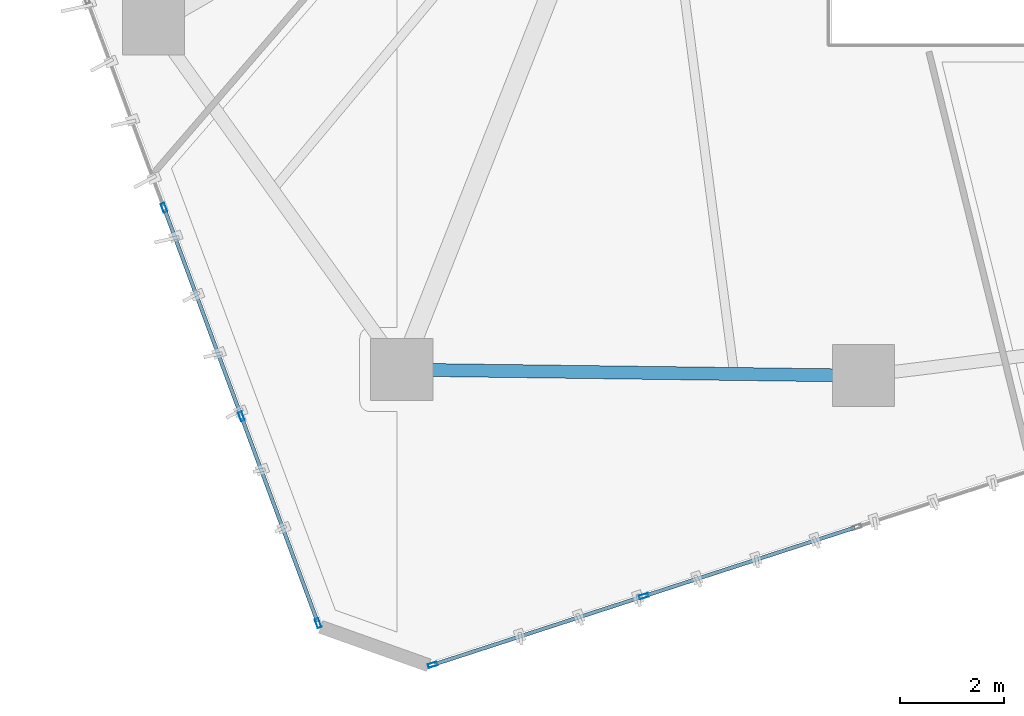
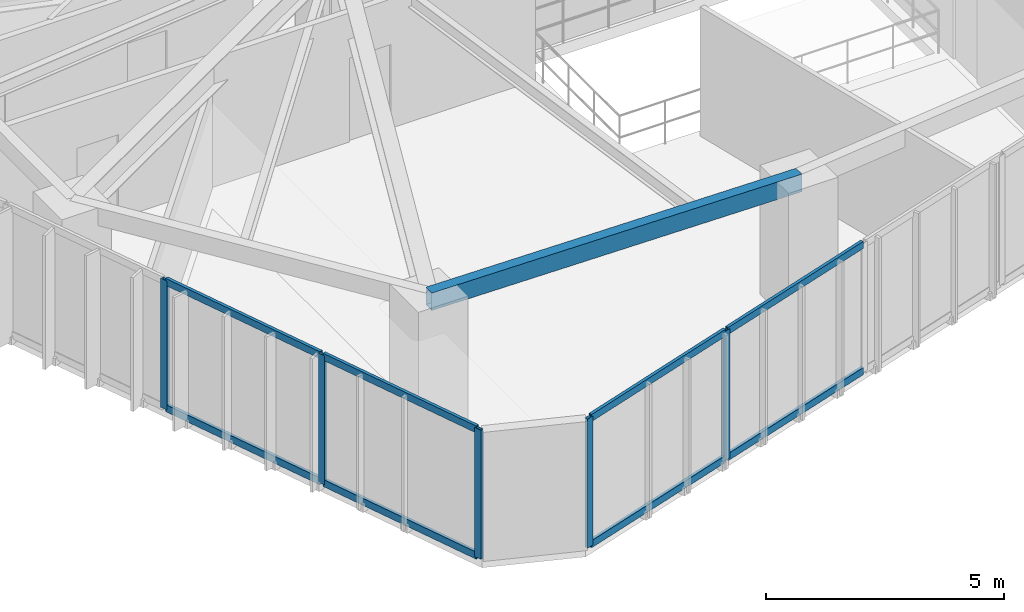
# One storey, part 2 of 21: 13 members, 1 beam, 2 elements without a shape of their own.
"""IFC4 building model written with IfcOpenShell, lengths in metres."""

from ifc_helpers import new_model, si_unit, direction, frame, origin, origin_2d, place, context, subcontext, project, spatial, hollow_rectangle, extrude, source, transform, mapped, material, layer, layer_set, material_profile, profile_set, type_object, type_shapes, element, aggregate, save


model = new_model("IFC4")

# Units and contexts
model_context = context("Model", 3, precision=1e-05, world=origin(), true_north=direction((0.0, 1.0)))
body_context = subcontext(model_context, "Body", "Model", "MODEL_VIEW")
ifc_project = project(units=[si_unit("LENGTHUNIT", "METRE"), si_unit("AREAUNIT", "SQUARE_METRE"), si_unit("VOLUMEUNIT", "CUBIC_METRE"), si_unit("PLANEANGLEUNIT", "RADIAN"), si_unit("MASSUNIT", "GRAM", prefix="KILO")], contexts=[model_context])

# Site, building, storey
site_placement = place(None, origin())
site = spatial("IfcSite", under=ifc_project, at=site_placement, CompositionType="ELEMENT")
building_placement = place(site_placement, origin())
building = spatial("IfcBuilding", under=site, at=building_placement, Name="Talar Marvaseh", CompositionType="ELEMENT")
storey_placement = place(building_placement, frame((0.0, 0.0, 143.39990234375)))
storey = spatial("IfcBuildingStorey", under=building, at=storey_placement, Name="L37", CompositionType="ELEMENT", Elevation=143.39990234375)

# Beam
ifc_material_1 = material(Name="Steel S355", Category="steel")
ifc_material_profile_1 = material_profile(ifc_material_1, hollow_rectangle(XDim=0.25, YDim=0.449951171875, WallThickness=0.01611328125, at=origin_2d()), Name="RHS450x250x16")
ifc_profile_set_1 = profile_set([ifc_material_profile_1], Name="Steel S355")
beam_type = type_object("IfcBeamType", Name="Zone 2 Perimeter Spandrel Beam RHS450x250x16", PredefinedType="SPANDREL", material=ifc_profile_set_1)
beam_placement = place(storey_placement, frame((22.804931640625, 13.18310546875, 3.085205078125), z_axis=(-0.999915383581, 0.013008677034, 0.0), x_axis=(-0.013008677034, -0.999915383581, 0.0)))
element("IfcBeam", 1, at=beam_placement, inside=storey, type_object=beam_type, Name="L37 Zone 2 Perimeter Spandrel Beam RHS450x250x16", PredefinedType="SPANDREL", context=body_context, shape_type="SweptSolid", body=[
    extrude(hollow_rectangle(XDim=0.25, YDim=0.449951171875, WallThickness=0.01611328125, at=origin_2d()), origin(), (0.0, 0.0, 1.0), 8.91455078125),
])

# Curtain wall, members
ifc_material_2 = material(Name="Architectural Aluminium", Category="aluminium")
ifc_layer = layer(ifc_material_2, 0.199951171875)
ifc_layer_set = layer_set([ifc_layer], Name="Architectural Aluminium")
curtain_wall_type = type_object("IfcCurtainWallType", Name="Unitised Acoustic Library Curtain Wall Z2", PredefinedType="NOTDEFINED", material=ifc_layer_set)
curtain_wall_1_placement = place(storey_placement, origin())
curtain_wall_1 = element("IfcCurtainWall", 2, at=curtain_wall_1_placement, inside=storey, type_object=curtain_wall_type, Name="L37 Unitised Acoustic Library Curtain Wall Z2", PredefinedType="NOTDEFINED")
ifc_material_profile_2 = material_profile(ifc_material_2, hollow_rectangle(XDim=0.074951171875, YDim=0.179931640625, WallThickness=0.0048828125, at=origin_2d()), Name="RHS180x75x5")
ifc_profile_set_2 = profile_set([ifc_material_profile_2], Name="Architectural Aluminium")
member_type_1 = type_object("IfcMemberType", Name="Unitised Curtain Wall Standard Mullion RHS180x75x5", PredefinedType="MULLION", material=ifc_profile_set_2)
shared_shape_1 = source(origin(), body_context, "Body", "SweptSolid", [
    extrude(hollow_rectangle(XDim=0.074951171875, YDim=0.179931640625, WallThickness=0.0048828125, at=origin_2d()), origin(), (0.0, 0.0, 1.0), 3.31005859375),
])
type_shapes(member_type_1, [shared_shape_1])
member_1_placement = place(storey_placement, frame((12.2763671875, 8.40185546875, 0.0), z_axis=(0.0, 0.0, 1.0), x_axis=(-0.93761038822, -0.347687733321, 0.0)))
member_1 = element("IfcMember", 3, at=member_1_placement, type_object=member_type_1, Name="CW-Z2 mullion 1", PredefinedType="MULLION", context=body_context, shape_type="MappedRepresentation", body=[
    mapped(shared_shape_1, transform((0.0, 0.0, 0.0), x_axis=(1.0, 0.0, 0.0), y_axis=(0.0, 1.0, 0.0), z_axis=(0.0, 0.0, 1.0), scale=1.0)),
])
member_2_placement = place(storey_placement, frame((10.795166015625, 12.396484375, 0.0), z_axis=(0.0, 0.0, 1.0), x_axis=(-0.93761038822, -0.347687733321, 0.0)))
member_2 = element("IfcMember", 4, at=member_2_placement, type_object=member_type_1, Name="CW-Z2 mullion 2", PredefinedType="MULLION", context=body_context, shape_type="MappedRepresentation", body=[
    mapped(shared_shape_1, transform((0.0, 0.0, 0.0), x_axis=(1.0, 0.0, 0.0), y_axis=(0.0, 1.0, 0.0), z_axis=(0.0, 0.0, 1.0), scale=1.0)),
])
member_3_placement = place(storey_placement, frame((9.30078125, 16.42626953125, 0.0), z_axis=(0.0, 0.0, 1.0), x_axis=(-0.93761038822, -0.347687733321, 0.0)))
member_3 = element("IfcMember", 5, at=member_3_placement, type_object=member_type_1, Name="CW-Z2 mullion 3", PredefinedType="MULLION", context=body_context, shape_type="MappedRepresentation", body=[
    mapped(shared_shape_1, transform((0.0, 0.0, 0.0), x_axis=(1.0, 0.0, 0.0), y_axis=(0.0, 1.0, 0.0), z_axis=(0.0, 0.0, 1.0), scale=1.0)),
])

curtain_wall_2_placement = place(storey_placement, origin())
curtain_wall_2 = element("IfcCurtainWall", 6, at=curtain_wall_2_placement, inside=storey, type_object=curtain_wall_type, Name="L37 Unitised Acoustic Library Curtain Wall Z2", PredefinedType="NOTDEFINED")
member_4_placement = place(storey_placement, frame((18.564453125, 8.924560546875, 0.0), z_axis=(0.0, 0.0, 1.0), x_axis=(0.309163682983, -0.95100884177, 0.0)))
member_4 = element("IfcMember", 7, at=member_4_placement, type_object=member_type_1, Name="CW-Z2 mullion 5", PredefinedType="MULLION", context=body_context, shape_type="MappedRepresentation", body=[
    mapped(shared_shape_1, transform((0.0, 0.0, 0.0), x_axis=(1.0, 0.0, 0.0), y_axis=(0.0, 1.0, 0.0), z_axis=(0.0, 0.0, 1.0), scale=1.0)),
])
member_5_placement = place(storey_placement, frame((14.488525390625, 7.599609375, 0.0), z_axis=(0.0, 0.0, 1.0), x_axis=(0.309163682983, -0.95100884177, 0.0)))
member_5 = element("IfcMember", 8, at=member_5_placement, type_object=member_type_1, Name="CW-Z2 mullion 6", PredefinedType="MULLION", context=body_context, shape_type="MappedRepresentation", body=[
    mapped(shared_shape_1, transform((0.0, 0.0, 0.0), x_axis=(1.0, 0.0, 0.0), y_axis=(0.0, 1.0, 0.0), z_axis=(0.0, 0.0, 1.0), scale=1.0)),
])

# Member
ifc_material_profile_3 = material_profile(ifc_material_2, hollow_rectangle(XDim=0.074951171875, YDim=0.179931640625, WallThickness=0.0048828125, at=origin_2d()), Name="RHS180x75x5")
ifc_profile_set_3 = profile_set([ifc_material_profile_3], Name="Architectural Aluminium")
member_type_2 = type_object("IfcMemberType", Name="Unitised Curtain Wall Transom RHS180x75x5", PredefinedType="USERDEFINED", material=ifc_profile_set_3)
shared_shape_2 = source(origin(), body_context, "Body", "SweptSolid", [
    extrude(hollow_rectangle(XDim=0.074951171875, YDim=0.179931640625, WallThickness=0.0048828125, at=origin_2d()), origin(), (0.0, 0.0, 1.0), 4.222900390625),
])
member_6_placement = place(storey_placement, frame((10.7822265625, 12.431640625, 0.03759765625), z_axis=(-0.34768714875, 0.937610604992, 0.0), x_axis=(-0.937610604992, -0.34768714875, 0.0)))
member_6 = element("IfcMember", 9, at=member_6_placement, type_object=member_type_2, Name="CW-Z2 transom 2.1", ObjectType="TRANSOM", PredefinedType="USERDEFINED", context=body_context, shape_type="MappedRepresentation", body=[
    mapped(shared_shape_2, transform((0.0, 0.0, 0.0), x_axis=(1.0, 0.0, 0.0), y_axis=(0.0, 1.0, 0.0), z_axis=(0.0, 0.0, 1.0), scale=1.0)),
])

member_7_placement = place(storey_placement, frame((10.7822265625, 12.431640625, 3.272705078125), z_axis=(-0.34768714875, 0.937610604992, 0.0), x_axis=(-0.937610604992, -0.34768714875, 0.0)))
member_7 = element("IfcMember", 10, at=member_7_placement, type_object=member_type_2, Name="CW-Z2 transom 2.2", ObjectType="TRANSOM", PredefinedType="USERDEFINED", context=body_context, shape_type="MappedRepresentation", body=[
    mapped(shared_shape_2, transform((0.0, 0.0, 0.0), x_axis=(1.0, 0.0, 0.0), y_axis=(0.0, 1.0, 0.0), z_axis=(0.0, 0.0, 1.0), scale=1.0)),
])

shared_shape_3 = source(origin(), body_context, "Body", "SweptSolid", [
    extrude(hollow_rectangle(XDim=0.074951171875, YDim=0.179931640625, WallThickness=0.0048828125, at=origin_2d()), origin(), (0.0, 0.0, 1.0), 4.185546875),
])
member_8_placement = place(storey_placement, frame((12.263427734375, 8.43701171875, 0.03759765625), z_axis=(-0.347707580613, 0.937603028144, 0.0), x_axis=(-0.937603028144, -0.347707580613, 0.0)))
member_8 = element("IfcMember", 11, at=member_8_placement, type_object=member_type_2, Name="CW-Z2 transom 1.1", ObjectType="TRANSOM", PredefinedType="USERDEFINED", context=body_context, shape_type="MappedRepresentation", body=[
    mapped(shared_shape_3, transform((0.0, 0.0, 0.0), x_axis=(1.0, 0.0, 0.0), y_axis=(0.0, 1.0, 0.0), z_axis=(0.0, 0.0, 1.0), scale=1.0)),
])

member_9_placement = place(storey_placement, frame((12.263427734375, 8.43701171875, 3.272705078125), z_axis=(-0.347707580613, 0.937603028144, 0.0), x_axis=(-0.937603028144, -0.347707580613, 0.0)))
member_9 = element("IfcMember", 12, at=member_9_placement, type_object=member_type_2, Name="CW-Z2 transom 1.2", ObjectType="TRANSOM", PredefinedType="USERDEFINED", context=body_context, shape_type="MappedRepresentation", body=[
    mapped(shared_shape_3, transform((0.0, 0.0, 0.0), x_axis=(1.0, 0.0, 0.0), y_axis=(0.0, 1.0, 0.0), z_axis=(0.0, 0.0, 1.0), scale=1.0)),
])

aggregate(curtain_wall_1, [member_1, member_2, member_3, member_8, member_9, member_6, member_7])

shared_shape_4 = source(origin(), body_context, "Body", "SweptSolid", [
    extrude(hollow_rectangle(XDim=0.074951171875, YDim=0.179931640625, WallThickness=0.0048828125, at=origin_2d()), origin(), (0.0, 0.0, 1.0), 4.24853515625),
])
member_10_placement = place(storey_placement, frame((22.640625, 10.249755859375, 0.03759765625), z_axis=(-0.951012952345, -0.309151038285, 0.0), x_axis=(0.309151038285, -0.951012952345, 0.0)))
member_10 = element("IfcMember", 13, at=member_10_placement, type_object=member_type_2, Name="CW-Z2 transom 4.1", ObjectType="TRANSOM", PredefinedType="USERDEFINED", context=body_context, shape_type="MappedRepresentation", body=[
    mapped(shared_shape_4, transform((0.0, 0.0, 0.0), x_axis=(1.0, 0.0, 0.0), y_axis=(0.0, 1.0, 0.0), z_axis=(0.0, 0.0, 1.0), scale=1.0)),
])

member_11_placement = place(storey_placement, frame((22.640625, 10.249755859375, 3.272705078125), z_axis=(-0.951012952345, -0.309151038285, 0.0), x_axis=(0.309151038285, -0.951012952345, 0.0)))
member_11 = element("IfcMember", 14, at=member_11_placement, type_object=member_type_2, Name="CW-Z2 transom 4.2", ObjectType="TRANSOM", PredefinedType="USERDEFINED", context=body_context, shape_type="MappedRepresentation", body=[
    mapped(shared_shape_4, transform((0.0, 0.0, 0.0), x_axis=(1.0, 0.0, 0.0), y_axis=(0.0, 1.0, 0.0), z_axis=(0.0, 0.0, 1.0), scale=1.0)),
])

shared_shape_5 = source(origin(), body_context, "Body", "SweptSolid", [
    extrude(hollow_rectangle(XDim=0.074951171875, YDim=0.179931640625, WallThickness=0.0048828125, at=origin_2d()), origin(), (0.0, 0.0, 1.0), 4.2109375),
])
type_shapes(member_type_2, [shared_shape_2, shared_shape_3, shared_shape_4, shared_shape_5])
member_12_placement = place(storey_placement, frame((18.52880859375, 8.9130859375, 0.03759765625), z_axis=(-0.950999551801, -0.309192258109, 0.0), x_axis=(0.309192258109, -0.950999551801, 0.0)))
member_12 = element("IfcMember", 15, at=member_12_placement, type_object=member_type_2, Name="CW-Z2 transom 5.1", ObjectType="TRANSOM", PredefinedType="USERDEFINED", context=body_context, shape_type="MappedRepresentation", body=[
    mapped(shared_shape_5, transform((0.0, 0.0, 0.0), x_axis=(1.0, 0.0, 0.0), y_axis=(0.0, 1.0, 0.0), z_axis=(0.0, 0.0, 1.0), scale=1.0)),
])

member_13_placement = place(storey_placement, frame((18.52880859375, 8.9130859375, 3.272705078125), z_axis=(-0.950999551801, -0.309192258109, 0.0), x_axis=(0.309192258109, -0.950999551801, 0.0)))
member_13 = element("IfcMember", 16, at=member_13_placement, type_object=member_type_2, Name="CW-Z2 transom 5.2", ObjectType="TRANSOM", PredefinedType="USERDEFINED", context=body_context, shape_type="MappedRepresentation", body=[
    mapped(shared_shape_5, transform((0.0, 0.0, 0.0), x_axis=(1.0, 0.0, 0.0), y_axis=(0.0, 1.0, 0.0), z_axis=(0.0, 0.0, 1.0), scale=1.0)),
])

aggregate(curtain_wall_2, [member_4, member_5, member_10, member_11, member_12, member_13])

save(model, "model.ifc")
